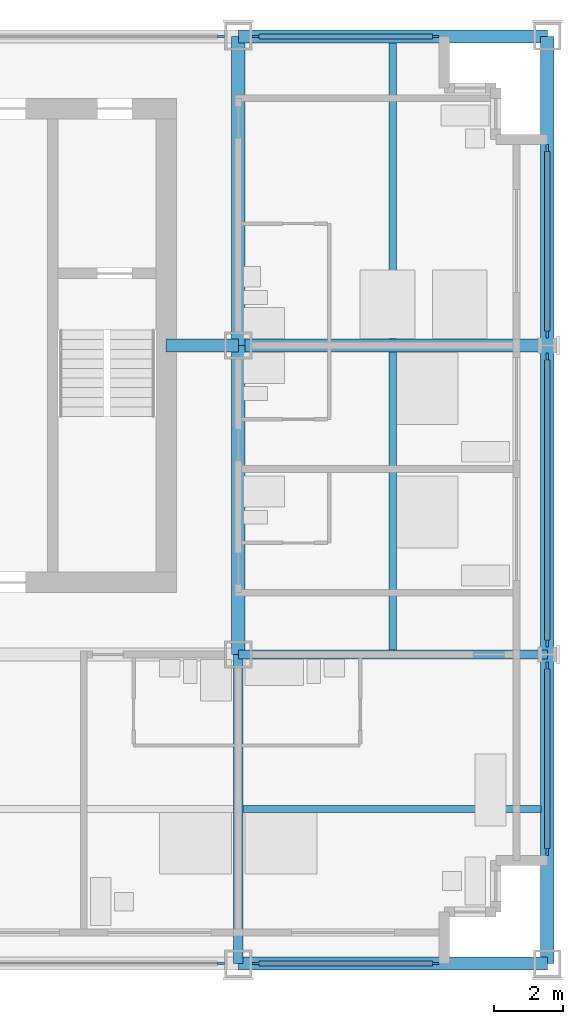
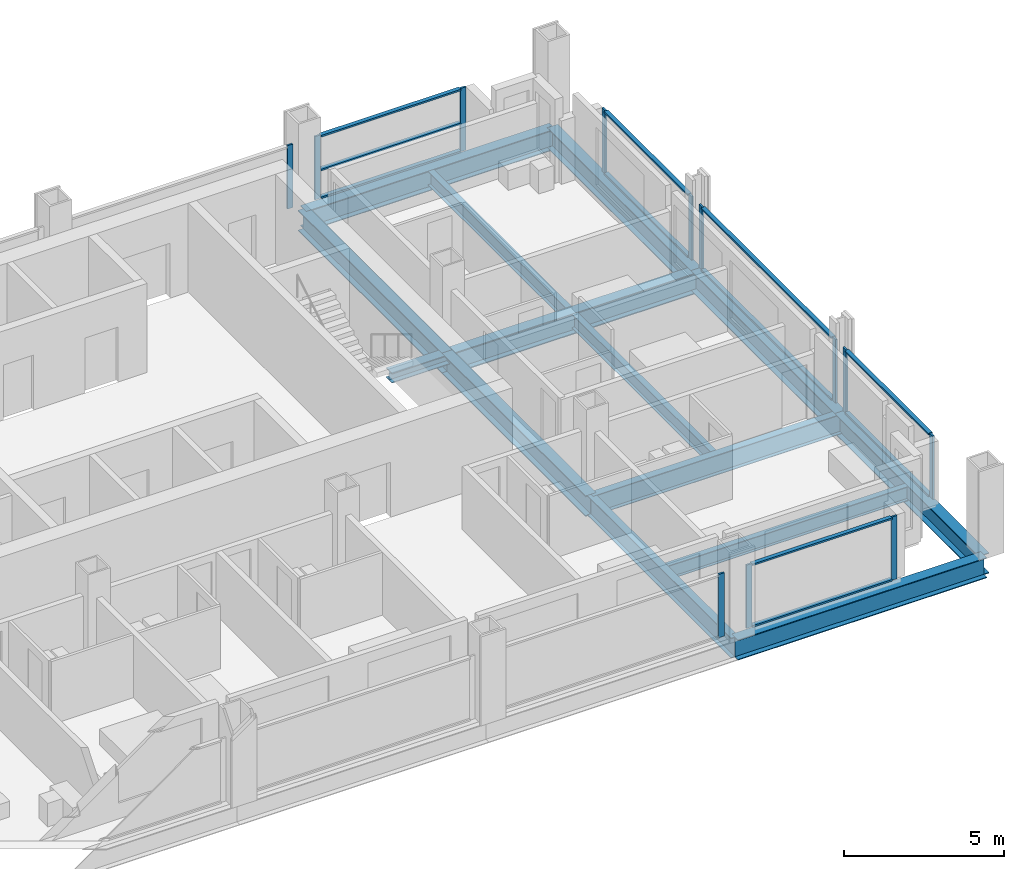
# One storey, part 5 of 14: 24 members, 13 beams, 7 elements without a shape of their own.
"""IFC4 building model written with IfcOpenShell, lengths in metres."""

from ifc_helpers import new_model, si_unit, direction, frame, origin, origin_2d, place, context, subcontext, project, spatial, rectangle, i_section, extrude, material, material_profile, profile_set, type_object, element, aggregate, save


model = new_model("IFC4")

# Units and contexts
model_context = context("Model", 3, precision=1e-05, world=origin(), true_north=direction((0.0, 1.0)))
body_context = subcontext(model_context, "Body", "Model", "MODEL_VIEW")
ifc_project = project(units=[si_unit("LENGTHUNIT", "METRE"), si_unit("AREAUNIT", "SQUARE_METRE"), si_unit("VOLUMEUNIT", "CUBIC_METRE"), si_unit("PLANEANGLEUNIT", "RADIAN"), si_unit("MASSUNIT", "GRAM", prefix="KILO")], contexts=[model_context])

# Site, building, storey
site_placement = place(None, origin())
site = spatial("IfcSite", under=ifc_project, at=site_placement, CompositionType="ELEMENT")
building_placement = place(site_placement, origin())
building = spatial("IfcBuilding", under=site, at=building_placement, Name="Loomwork Tower", CompositionType="ELEMENT")
storey_placement = place(building_placement, frame((0.0, 0.0, 167.199951171875)))
storey = spatial("IfcBuildingStorey", under=building, at=storey_placement, Name="L45", CompositionType="ELEMENT", Elevation=167.199951171875)

# Beams
ifc_material_1 = material(Name="Steel ASTM A992", Category="steel")
ifc_material_profile_1 = material_profile(ifc_material_1, i_section(OverallWidth=0.383544921875, OverallDepth=0.794921875, WebThickness=0.02099609375, FlangeThickness=0.0380859375, at=origin_2d()), Name="W30x235")
ifc_profile_set_1 = profile_set([ifc_material_profile_1], Name="Steel ASTM A992")
beam_type_1 = type_object("IfcBeamType", Name="CORE FLANK GIRDER W30x235", PredefinedType="BEAM", material=ifc_profile_set_1)
for number, where, z_axis, x_axis, name in (
    (1, (36.0, 18.0, -0.597412109375), (1.0, 0.0, 0.0), (0.0, 1.0, 0.0), "Core Flank Girder F/6-F/7 L45"),
    (2, (36.0, 9.0, -0.597412109375), (0.0, 1.0, 0.0), (-1.0, 0.0, 0.0), "Core Flank Girder E/6-F/6 L45"),
    (3, (36.0, 18.0, -0.597412109375), (0.0, 1.0, 0.0), (-1.0, 0.0, 0.0), "Core Flank Girder F/6-G/6 L45"),
):
    element("IfcBeam", number, at=place(storey_placement, frame(where, z_axis=z_axis, x_axis=x_axis)), inside=storey, type_object=beam_type_1, Name=name, PredefinedType="BEAM", context=body_context, shape_type="SweptSolid", body=[
        extrude(i_section(OverallWidth=0.383544921875, OverallDepth=0.794921875, WebThickness=0.02099609375, FlangeThickness=0.0380859375, at=origin_2d()), origin(), (0.0, 0.0, 1.0), 9.0),
    ])

# Member
ifc_material_2 = material(Name="Steel ASTM A992", Category="steel")
ifc_material_profile_2 = material_profile(ifc_material_2, i_section(OverallWidth=0.373291015625, OverallDepth=0.373291015625, WebThickness=0.016357421875, FlangeThickness=0.026123046875, at=origin_2d()), Name="W14x132")
ifc_profile_set_2 = profile_set([ifc_material_profile_2], Name="Steel ASTM A992")
member_type_1 = type_object("IfcMemberType", Name="CORE LINK STRUT W14x132", PredefinedType="STRUT", material=ifc_profile_set_2)
member_1_placement = place(storey_placement, frame((36.0, 18.0, -0.38671875), z_axis=(-1.0, 0.0, 0.0), x_axis=(0.0, -1.0, 0.0)))
element("IfcMember", 4, at=member_1_placement, inside=storey, type_object=member_type_1, Name="Core link strut F/6-33.900,18.000 L45", PredefinedType="STRUT", context=body_context, shape_type="SweptSolid", body=[
    extrude(i_section(OverallWidth=0.373291015625, OverallDepth=0.373291015625, WebThickness=0.016357421875, FlangeThickness=0.026123046875, at=origin_2d()), origin(), (0.0, 0.0, 1.0), 2.10009765625),
])

# Beams
ifc_material_3 = material(Name="Steel ASTM A992", Category="steel")
ifc_material_profile_3 = material_profile(ifc_material_3, i_section(OverallWidth=0.2666015625, OverallDepth=0.761962890625, WebThickness=0.014404296875, FlangeThickness=0.021484375, at=origin_2d()), Name="W30x116")
ifc_profile_set_3 = profile_set([ifc_material_profile_3], Name="Steel ASTM A992")
beam_type_2 = type_object("IfcBeamType", Name="FLOOR GIRDER W30x116", PredefinedType="BEAM", material=ifc_profile_set_3)
for number, where, z_axis, x_axis, name in (
    (5, (36.0, 9.0, -0.5810546875), (1.0, 0.0, 0.0), (0.0, 1.0, 0.0), "Floor Girder E/6-E/7 L45"),
    (6, (36.0, 0.0, -0.5810546875), (0.0, 1.0, 0.0), (-1.0, 0.0, 0.0), "Floor Girder D/6-E/6 L45"),
):
    element("IfcBeam", number, at=place(storey_placement, frame(where, z_axis=z_axis, x_axis=x_axis)), inside=storey, type_object=beam_type_2, Name=name, PredefinedType="BEAM", context=body_context, shape_type="SweptSolid", body=[
        extrude(i_section(OverallWidth=0.2666015625, OverallDepth=0.761962890625, WebThickness=0.014404296875, FlangeThickness=0.021484375, at=origin_2d()), origin(), (0.0, 0.0, 1.0), 9.0),
    ])
ifc_material_4 = material(Name="Steel ASTM A992", Category="steel")
ifc_material_profile_4 = material_profile(ifc_material_4, i_section(OverallWidth=0.2109375, OverallDepth=0.53857421875, WebThickness=0.011474609375, FlangeThickness=0.018798828125, at=origin_2d()), Name="W21x73")
ifc_profile_set_4 = profile_set([ifc_material_profile_4], Name="Steel ASTM A992")
beam_type_3 = type_object("IfcBeamType", Name="FLOOR JOIST W21x73", PredefinedType="JOIST", material=ifc_profile_set_4)
beam_1_placement = place(storey_placement, frame((36.133056640625, 4.5, -0.46923828125), z_axis=(1.0, 0.0, 0.0), x_axis=(0.0, 1.0, 0.0)))
element("IfcBeam", 7, at=beam_1_placement, inside=storey, type_object=beam_type_3, Name="Floor Joist 36.000,4.500-45.000,4.500 L45", PredefinedType="JOIST", context=body_context, shape_type="SweptSolid", body=[
    extrude(i_section(OverallWidth=0.2109375, OverallDepth=0.53857421875, WebThickness=0.011474609375, FlangeThickness=0.018798828125, at=origin_2d()), origin(), (0.0, 0.0, 1.0), 8.677001953125),
])
beam_2_placement = place(storey_placement, frame((40.5, 9.133056640625, -0.46923828125), z_axis=(0.0, 1.0, 0.0), x_axis=(-1.0, 0.0, 0.0)))
element("IfcBeam", 8, at=beam_2_placement, inside=storey, type_object=beam_type_3, Name="Floor Joist 40.500,9.000-40.500,18.000 L45", PredefinedType="JOIST", context=body_context, shape_type="SweptSolid", body=[
    extrude(i_section(OverallWidth=0.2109375, OverallDepth=0.53857421875, WebThickness=0.011474609375, FlangeThickness=0.018798828125, at=origin_2d()), origin(), (0.0, 0.0, 1.0), 8.676025390625),
])
beam_3_placement = place(storey_placement, frame((40.5, 18.19091796875, -0.46923828125), z_axis=(0.0, 1.0, 0.0), x_axis=(-1.0, 0.0, 0.0)))
element("IfcBeam", 9, at=beam_3_placement, inside=storey, type_object=beam_type_3, Name="Floor Joist 40.500,18.000-40.500,27.000 L45", PredefinedType="JOIST", context=body_context, shape_type="SweptSolid", body=[
    extrude(i_section(OverallWidth=0.2109375, OverallDepth=0.53857421875, WebThickness=0.011474609375, FlangeThickness=0.018798828125, at=origin_2d()), origin(), (0.0, 0.0, 1.0), 8.619140625),
])

# Curtain wall, member
ifc_material_5 = material(Name="Aluminium curtain wall frame", Category="aluminium")
curtain_wall_type_1 = type_object("IfcCurtainWallType", Name="Outer skin glazing hotel", PredefinedType="NOTDEFINED", material=ifc_material_5)
curtain_wall_1_placement = place(storey_placement, origin())
curtain_wall_1 = element("IfcCurtainWall", 10, at=curtain_wall_1_placement, inside=storey, type_object=curtain_wall_type_1, Name="Outer skin glazing hotel cw/S-27", PredefinedType="NOTDEFINED")
ifc_material_6 = material(Name="Aluminium curtain wall frame", Category="aluminium")
ifc_material_profile_5 = material_profile(ifc_material_6, rectangle(XDim=0.06494140625, YDim=0.199951171875, at=origin_2d()), Name="AL 65x200")
ifc_profile_set_5 = profile_set([ifc_material_profile_5], Name="Aluminium curtain wall frame")
member_type_2 = type_object("IfcMemberType", Name="Outer skin glazing hotel mullion", PredefinedType="MULLION", material=ifc_profile_set_5)
member_2_placement = place(storey_placement, frame((35.5, 0.0, 0.0), z_axis=(0.0, 0.0, 1.0), x_axis=(0.0, 1.0, 0.0)))
member_2 = element("IfcMember", 11, at=member_2_placement, type_object=member_type_2, Name="CW1 mullion 2", PredefinedType="MULLION", context=body_context, shape_type="SweptSolid", body=[
    extrude(rectangle(XDim=0.06494140625, YDim=0.199951171875, at=origin_2d()), origin(), (0.0, 0.0, 1.0), 2.420166015625),
])
aggregate(curtain_wall_1, [member_2])

# Curtain wall, members
curtain_wall_2_placement = place(storey_placement, origin())
curtain_wall_2 = element("IfcCurtainWall", 12, at=curtain_wall_2_placement, inside=storey, type_object=curtain_wall_type_1, Name="Outer skin glazing hotel cw/S-36", PredefinedType="NOTDEFINED")
member_3_placement = place(storey_placement, frame((36.5, 0.0, 0.0), z_axis=(0.0, 0.0, 1.0), x_axis=(0.0, 1.0, 0.0)))
member_3 = element("IfcMember", 13, at=member_3_placement, type_object=member_type_2, Name="CW1 mullion 1", PredefinedType="MULLION", context=body_context, shape_type="SweptSolid", body=[
    extrude(rectangle(XDim=0.06494140625, YDim=0.199951171875, at=origin_2d()), origin(), (0.0, 0.0, 1.0), 2.420166015625),
])
member_4_placement = place(storey_placement, frame((41.75, 0.0, 0.0), z_axis=(0.0, 0.0, 1.0), x_axis=(0.0, 1.0, 0.0)))
member_4 = element("IfcMember", 14, at=member_4_placement, type_object=member_type_2, Name="CW1 mullion 2", PredefinedType="MULLION", context=body_context, shape_type="SweptSolid", body=[
    extrude(rectangle(XDim=0.06494140625, YDim=0.199951171875, at=origin_2d()), origin(), (0.0, 0.0, 1.0), 2.420166015625),
])

curtain_wall_3_placement = place(storey_placement, origin())
curtain_wall_3 = element("IfcCurtainWall", 15, at=curtain_wall_3_placement, inside=storey, type_object=curtain_wall_type_1, Name="Outer skin glazing hotel cw/E-0", PredefinedType="NOTDEFINED")
member_5_placement = place(storey_placement, frame((45.0, 3.25, 0.0), z_axis=(0.0, 0.0, 1.0), x_axis=(-1.0, 0.0, 0.0)))
member_5 = element("IfcMember", 16, at=member_5_placement, type_object=member_type_2, Name="CW1 mullion 1", PredefinedType="MULLION", context=body_context, shape_type="SweptSolid", body=[
    extrude(rectangle(XDim=0.06494140625, YDim=0.199951171875, at=origin_2d()), origin(), (0.0, 0.0, 1.0), 2.420166015625),
])
member_6_placement = place(storey_placement, frame((45.0, 8.67529296875, 0.0), z_axis=(0.0, 0.0, 1.0), x_axis=(-1.0, 0.0, 0.0)))
member_6 = element("IfcMember", 17, at=member_6_placement, type_object=member_type_2, Name="CW1 mullion 2", PredefinedType="MULLION", context=body_context, shape_type="SweptSolid", body=[
    extrude(rectangle(XDim=0.06494140625, YDim=0.199951171875, at=origin_2d()), origin(), (0.0, 0.0, 1.0), 2.420166015625),
])

curtain_wall_4_placement = place(storey_placement, origin())
curtain_wall_4 = element("IfcCurtainWall", 18, at=curtain_wall_4_placement, inside=storey, type_object=curtain_wall_type_1, Name="Outer skin glazing hotel cw/E-9", PredefinedType="NOTDEFINED")
member_7_placement = place(storey_placement, frame((45.0, 9.32470703125, 0.0), z_axis=(0.0, 0.0, 1.0), x_axis=(-1.0, 0.0, 0.0)))
member_7 = element("IfcMember", 19, at=member_7_placement, type_object=member_type_2, Name="CW1 mullion 1", PredefinedType="MULLION", context=body_context, shape_type="SweptSolid", body=[
    extrude(rectangle(XDim=0.06494140625, YDim=0.199951171875, at=origin_2d()), origin(), (0.0, 0.0, 1.0), 2.420166015625),
])
member_8_placement = place(storey_placement, frame((45.0, 17.67529296875, 0.0), z_axis=(0.0, 0.0, 1.0), x_axis=(-1.0, 0.0, 0.0)))
member_8 = element("IfcMember", 20, at=member_8_placement, type_object=member_type_2, Name="CW1 mullion 2", PredefinedType="MULLION", context=body_context, shape_type="SweptSolid", body=[
    extrude(rectangle(XDim=0.06494140625, YDim=0.199951171875, at=origin_2d()), origin(), (0.0, 0.0, 1.0), 2.420166015625),
])

curtain_wall_5_placement = place(storey_placement, origin())
curtain_wall_5 = element("IfcCurtainWall", 21, at=curtain_wall_5_placement, inside=storey, type_object=curtain_wall_type_1, Name="Outer skin glazing hotel cw/E-18", PredefinedType="NOTDEFINED")
member_9_placement = place(storey_placement, frame((45.0, 18.32470703125, 0.0), z_axis=(0.0, 0.0, 1.0), x_axis=(-1.0, 0.0, 0.0)))
member_9 = element("IfcMember", 22, at=member_9_placement, type_object=member_type_2, Name="CW1 mullion 1", PredefinedType="MULLION", context=body_context, shape_type="SweptSolid", body=[
    extrude(rectangle(XDim=0.06494140625, YDim=0.199951171875, at=origin_2d()), origin(), (0.0, 0.0, 1.0), 2.420166015625),
])
member_10_placement = place(storey_placement, frame((45.0, 23.75, 0.0), z_axis=(0.0, 0.0, 1.0), x_axis=(-1.0, 0.0, 0.0)))
member_10 = element("IfcMember", 23, at=member_10_placement, type_object=member_type_2, Name="CW1 mullion 2", PredefinedType="MULLION", context=body_context, shape_type="SweptSolid", body=[
    extrude(rectangle(XDim=0.06494140625, YDim=0.199951171875, at=origin_2d()), origin(), (0.0, 0.0, 1.0), 2.420166015625),
])

# Member
ifc_material_7 = material(Name="Aluminium curtain wall frame", Category="aluminium")
ifc_material_profile_6 = material_profile(ifc_material_7, rectangle(XDim=0.14990234375, YDim=0.06494140625, at=origin_2d()), Name="AL 65x150")
ifc_profile_set_6 = profile_set([ifc_material_profile_6], Name="Aluminium curtain wall frame")
member_type_3 = type_object("IfcMemberType", Name="Outer skin glazing hotel transom", PredefinedType="USERDEFINED", material=ifc_profile_set_6)
member_11_placement = place(storey_placement, frame((36.60009765625, 0.0, 0.032470703125), z_axis=(1.0, 0.0, 0.0), x_axis=(0.0, 1.0, 0.0)))
member_11 = element("IfcMember", 24, at=member_11_placement, type_object=member_type_3, Name="CW1 transom 1.1", ObjectType="TRANSOM", PredefinedType="USERDEFINED", context=body_context, shape_type="SweptSolid", body=[
    extrude(rectangle(XDim=0.14990234375, YDim=0.06494140625, at=origin_2d()), origin(), (0.0, 0.0, 1.0), 5.0498046875),
])

member_12_placement = place(storey_placement, frame((36.60009765625, 0.0, 2.3876953125), z_axis=(1.0, 0.0, 0.0), x_axis=(0.0, 1.0, 0.0)))
member_12 = element("IfcMember", 25, at=member_12_placement, type_object=member_type_3, Name="CW1 transom 1.2", ObjectType="TRANSOM", PredefinedType="USERDEFINED", context=body_context, shape_type="SweptSolid", body=[
    extrude(rectangle(XDim=0.14990234375, YDim=0.06494140625, at=origin_2d()), origin(), (0.0, 0.0, 1.0), 5.0498046875),
])

aggregate(curtain_wall_2, [member_3, member_4, member_11, member_12])

member_13_placement = place(storey_placement, frame((45.0, 3.35009765625, 0.032470703125), z_axis=(0.0, 1.0, 0.0), x_axis=(-1.0, 0.0, 0.0)))
member_13 = element("IfcMember", 26, at=member_13_placement, type_object=member_type_3, Name="CW1 transom 1.1", ObjectType="TRANSOM", PredefinedType="USERDEFINED", context=body_context, shape_type="SweptSolid", body=[
    extrude(rectangle(XDim=0.14990234375, YDim=0.06494140625, at=origin_2d()), origin(), (0.0, 0.0, 1.0), 5.22509765625),
])

member_14_placement = place(storey_placement, frame((45.0, 3.35009765625, 2.3876953125), z_axis=(0.0, 1.0, 0.0), x_axis=(-1.0, 0.0, 0.0)))
member_14 = element("IfcMember", 27, at=member_14_placement, type_object=member_type_3, Name="CW1 transom 1.2", ObjectType="TRANSOM", PredefinedType="USERDEFINED", context=body_context, shape_type="SweptSolid", body=[
    extrude(rectangle(XDim=0.14990234375, YDim=0.06494140625, at=origin_2d()), origin(), (0.0, 0.0, 1.0), 5.22509765625),
])

aggregate(curtain_wall_3, [member_5, member_6, member_13, member_14])

member_15_placement = place(storey_placement, frame((45.0, 9.4248046875, 0.032470703125), z_axis=(0.0, 1.0, 0.0), x_axis=(-1.0, 0.0, 0.0)))
member_15 = element("IfcMember", 28, at=member_15_placement, type_object=member_type_3, Name="CW1 transom 1.1", ObjectType="TRANSOM", PredefinedType="USERDEFINED", context=body_context, shape_type="SweptSolid", body=[
    extrude(rectangle(XDim=0.14990234375, YDim=0.06494140625, at=origin_2d()), origin(), (0.0, 0.0, 1.0), 8.150390625),
])

member_16_placement = place(storey_placement, frame((45.0, 9.4248046875, 2.3876953125), z_axis=(0.0, 1.0, 0.0), x_axis=(-1.0, 0.0, 0.0)))
member_16 = element("IfcMember", 29, at=member_16_placement, type_object=member_type_3, Name="CW1 transom 1.2", ObjectType="TRANSOM", PredefinedType="USERDEFINED", context=body_context, shape_type="SweptSolid", body=[
    extrude(rectangle(XDim=0.14990234375, YDim=0.06494140625, at=origin_2d()), origin(), (0.0, 0.0, 1.0), 8.150390625),
])

aggregate(curtain_wall_4, [member_7, member_8, member_15, member_16])

member_17_placement = place(storey_placement, frame((45.0, 18.4248046875, 0.032470703125), z_axis=(0.0, 1.0, 0.0), x_axis=(-1.0, 0.0, 0.0)))
member_17 = element("IfcMember", 30, at=member_17_placement, type_object=member_type_3, Name="CW1 transom 1.1", ObjectType="TRANSOM", PredefinedType="USERDEFINED", context=body_context, shape_type="SweptSolid", body=[
    extrude(rectangle(XDim=0.14990234375, YDim=0.06494140625, at=origin_2d()), origin(), (0.0, 0.0, 1.0), 5.22509765625),
])

member_18_placement = place(storey_placement, frame((45.0, 18.4248046875, 2.3876953125), z_axis=(0.0, 1.0, 0.0), x_axis=(-1.0, 0.0, 0.0)))
member_18 = element("IfcMember", 31, at=member_18_placement, type_object=member_type_3, Name="CW1 transom 1.2", ObjectType="TRANSOM", PredefinedType="USERDEFINED", context=body_context, shape_type="SweptSolid", body=[
    extrude(rectangle(XDim=0.14990234375, YDim=0.06494140625, at=origin_2d()), origin(), (0.0, 0.0, 1.0), 5.22509765625),
])

aggregate(curtain_wall_5, [member_9, member_10, member_17, member_18])

# Beams
ifc_material_8 = material(Name="Steel ASTM A992", Category="steel")
ifc_material_profile_7 = material_profile(ifc_material_8, i_section(OverallWidth=0.381103515625, OverallDepth=0.77978515625, WebThickness=0.01806640625, FlangeThickness=0.0302734375, at=origin_2d()), Name="W30x191")
ifc_profile_set_7 = profile_set([ifc_material_profile_7], Name="Steel ASTM A992")
beam_type_4 = type_object("IfcBeamType", Name="SPANDREL GIRDER W30x191", PredefinedType="SPANDREL", material=ifc_profile_set_7)
for number, where, z_axis, x_axis, name in (
    (32, (36.0, 0.0, -0.58984375), (1.0, 0.0, 0.0), (0.0, 1.0, 0.0), "Spandrel Girder D/6-D/7 L45"),
    (33, (36.0, 27.0, -0.58984375), (1.0, 0.0, 0.0), (0.0, 1.0, 0.0), "Spandrel Girder G/6-G/7 L45"),
    (34, (45.0, 0.0, -0.58984375), (0.0, 1.0, 0.0), (-1.0, 0.0, 0.0), "Spandrel Girder D/7-E/7 L45"),
    (35, (45.0, 9.0, -0.58984375), (0.0, 1.0, 0.0), (-1.0, 0.0, 0.0), "Spandrel Girder E/7-F/7 L45"),
    (36, (45.0, 18.0, -0.58984375), (0.0, 1.0, 0.0), (-1.0, 0.0, 0.0), "Spandrel Girder F/7-G/7 L45"),
):
    element("IfcBeam", number, at=place(storey_placement, frame(where, z_axis=z_axis, x_axis=x_axis)), inside=storey, type_object=beam_type_4, Name=name, PredefinedType="SPANDREL", context=body_context, shape_type="SweptSolid", body=[
        extrude(i_section(OverallWidth=0.381103515625, OverallDepth=0.77978515625, WebThickness=0.01806640625, FlangeThickness=0.0302734375, at=origin_2d()), origin(), (0.0, 0.0, 1.0), 9.0),
    ])

# Curtain wall, member
ifc_material_9 = material(Name="Aluminium curtain wall frame", Category="aluminium")
curtain_wall_type_2 = type_object("IfcCurtainWallType", Name="Single skin glazing corridor", PredefinedType="NOTDEFINED", material=ifc_material_9)
curtain_wall_6_placement = place(storey_placement, origin())
curtain_wall_6 = element("IfcCurtainWall", 37, at=curtain_wall_6_placement, inside=storey, type_object=curtain_wall_type_2, Name="Single skin glazing corridor cw/N-27", PredefinedType="NOTDEFINED")
ifc_material_10 = material(Name="Aluminium curtain wall frame", Category="aluminium")
ifc_material_profile_8 = material_profile(ifc_material_10, rectangle(XDim=0.06494140625, YDim=0.199951171875, at=origin_2d()), Name="AL 65x200")
ifc_profile_set_8 = profile_set([ifc_material_profile_8], Name="Aluminium curtain wall frame")
member_type_4 = type_object("IfcMemberType", Name="Single skin glazing corridor mullion", PredefinedType="MULLION", material=ifc_profile_set_8)
member_19_placement = place(storey_placement, frame((35.5, 27.0, 0.0), z_axis=(0.0, 0.0, 1.0), x_axis=(0.0, -1.0, 0.0)))
member_19 = element("IfcMember", 38, at=member_19_placement, type_object=member_type_4, Name="CW3 mullion 1", PredefinedType="MULLION", context=body_context, shape_type="SweptSolid", body=[
    extrude(rectangle(XDim=0.06494140625, YDim=0.199951171875, at=origin_2d()), origin(), (0.0, 0.0, 1.0), 2.420166015625),
])
aggregate(curtain_wall_6, [member_19])

# Curtain wall, members
curtain_wall_7_placement = place(storey_placement, origin())
curtain_wall_7 = element("IfcCurtainWall", 39, at=curtain_wall_7_placement, inside=storey, type_object=curtain_wall_type_2, Name="Single skin glazing corridor cw/N-36", PredefinedType="NOTDEFINED")
member_20_placement = place(storey_placement, frame((41.75, 27.0, 0.0), z_axis=(0.0, 0.0, 1.0), x_axis=(0.0, -1.0, 0.0)))
member_20 = element("IfcMember", 40, at=member_20_placement, type_object=member_type_4, Name="CW3 mullion 1", PredefinedType="MULLION", context=body_context, shape_type="SweptSolid", body=[
    extrude(rectangle(XDim=0.06494140625, YDim=0.199951171875, at=origin_2d()), origin(), (0.0, 0.0, 1.0), 2.420166015625),
])
member_21_placement = place(storey_placement, frame((36.5, 27.0, 0.0), z_axis=(0.0, 0.0, 1.0), x_axis=(0.0, -1.0, 0.0)))
member_21 = element("IfcMember", 41, at=member_21_placement, type_object=member_type_4, Name="CW3 mullion 2", PredefinedType="MULLION", context=body_context, shape_type="SweptSolid", body=[
    extrude(rectangle(XDim=0.06494140625, YDim=0.199951171875, at=origin_2d()), origin(), (0.0, 0.0, 1.0), 2.420166015625),
])
ifc_material_11 = material(Name="Aluminium curtain wall frame", Category="aluminium")
ifc_material_profile_9 = material_profile(ifc_material_11, rectangle(XDim=0.14990234375, YDim=0.06494140625, at=origin_2d()), Name="AL 65x150")
ifc_profile_set_9 = profile_set([ifc_material_profile_9], Name="Aluminium curtain wall frame")
member_type_5 = type_object("IfcMemberType", Name="Single skin glazing corridor transom", PredefinedType="USERDEFINED", material=ifc_profile_set_9)
member_22_placement = place(storey_placement, frame((41.64990234375, 27.0, 0.032470703125), z_axis=(-1.0, 0.0, 0.0), x_axis=(0.0, -1.0, 0.0)))
member_22 = element("IfcMember", 42, at=member_22_placement, type_object=member_type_5, Name="CW3 transom 1.1", ObjectType="TRANSOM", PredefinedType="USERDEFINED", context=body_context, shape_type="SweptSolid", body=[
    extrude(rectangle(XDim=0.14990234375, YDim=0.06494140625, at=origin_2d()), origin(), (0.0, 0.0, 1.0), 5.0498046875),
])
member_23_placement = place(storey_placement, frame((41.64990234375, 27.0, 1.10009765625), z_axis=(-1.0, 0.0, 0.0), x_axis=(0.0, -1.0, 0.0)))
member_23 = element("IfcMember", 43, at=member_23_placement, type_object=member_type_5, Name="CW3 transom 1.2", ObjectType="TRANSOM", PredefinedType="USERDEFINED", context=body_context, shape_type="SweptSolid", body=[
    extrude(rectangle(XDim=0.14990234375, YDim=0.06494140625, at=origin_2d()), origin(), (0.0, 0.0, 1.0), 5.0498046875),
])
member_24_placement = place(storey_placement, frame((41.64990234375, 27.0, 2.3876953125), z_axis=(-1.0, 0.0, 0.0), x_axis=(0.0, -1.0, 0.0)))
member_24 = element("IfcMember", 44, at=member_24_placement, type_object=member_type_5, Name="CW3 transom 1.3", ObjectType="TRANSOM", PredefinedType="USERDEFINED", context=body_context, shape_type="SweptSolid", body=[
    extrude(rectangle(XDim=0.14990234375, YDim=0.06494140625, at=origin_2d()), origin(), (0.0, 0.0, 1.0), 5.0498046875),
])
aggregate(curtain_wall_7, [member_20, member_21, member_22, member_23, member_24])

save(model, "model.ifc")
